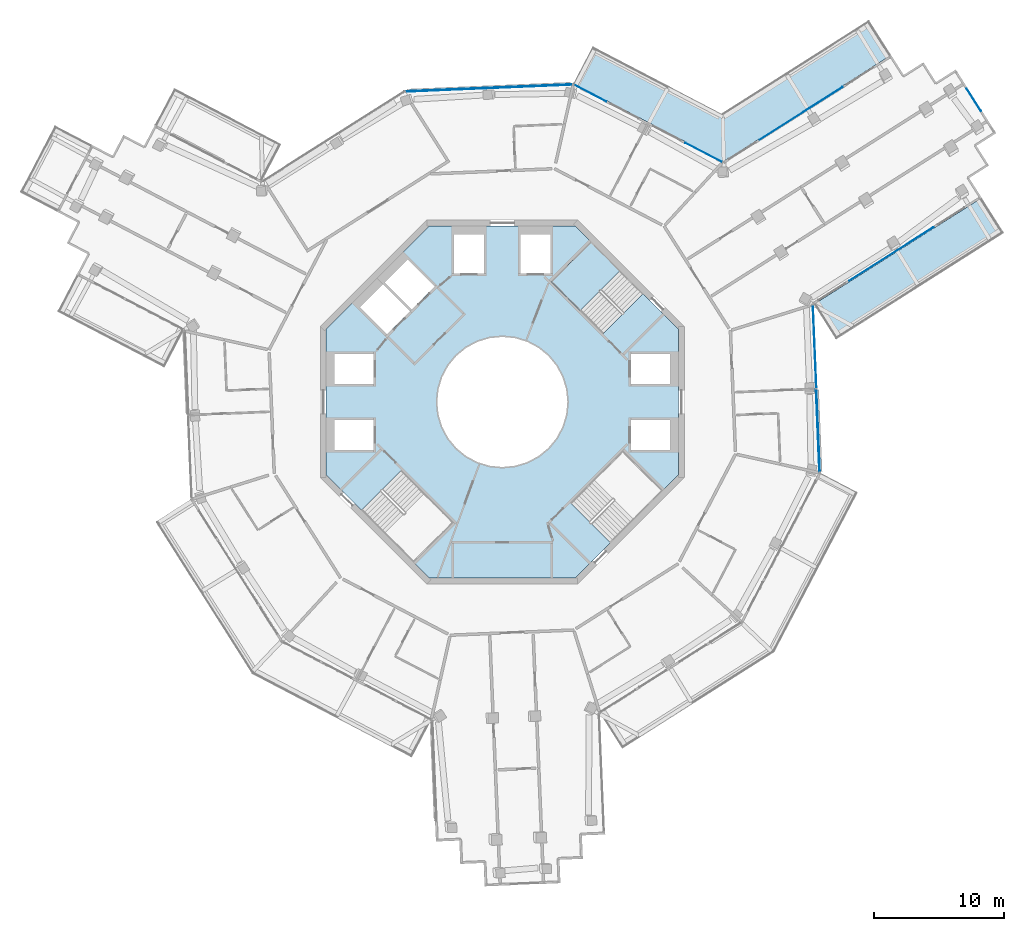
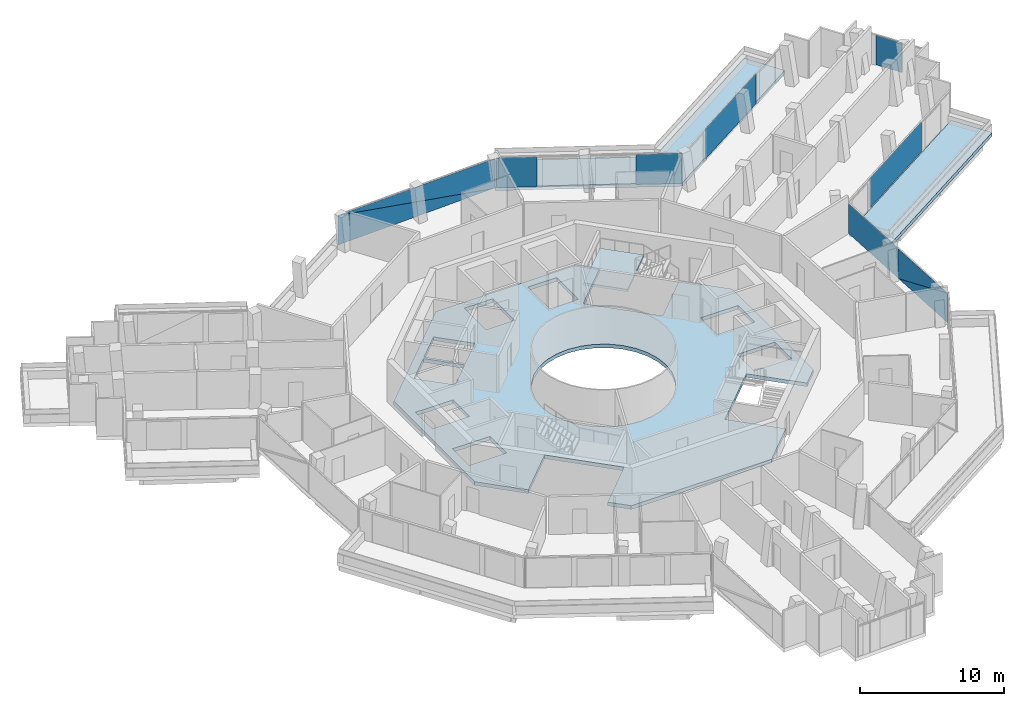
# One storey, part 13 of 23: 10 plates, 4 slabs, 7 elements without a shape of their own.
"""IFC4 building model written with IfcOpenShell, lengths in metres."""

from ifc_helpers import new_model, si_unit, direction, frame, origin, origin_2d, place, context, subcontext, project, spatial, polyline, rectangle, outline, extrude, material, layer, layer_set, type_object, element, aggregate, save


model = new_model("IFC4")

# Units and contexts
model_context = context("Model", 3, precision=1e-05, world=origin(), true_north=direction((0.0, 1.0)))
body_context = subcontext(model_context, "Body", "Model", "MODEL_VIEW")
ifc_project = project(units=[si_unit("LENGTHUNIT", "METRE"), si_unit("AREAUNIT", "SQUARE_METRE"), si_unit("VOLUMEUNIT", "CUBIC_METRE"), si_unit("PLANEANGLEUNIT", "RADIAN"), si_unit("MASSUNIT", "GRAM", prefix="KILO")], contexts=[model_context])

# Site, building, storey
site_placement = place(None, origin())
site = spatial("IfcSite", under=ifc_project, at=site_placement, CompositionType="ELEMENT")
building_placement = place(site_placement, origin())
building = spatial("IfcBuilding", under=site, at=building_placement, Name="Verdalira Terraces Hotel", CompositionType="ELEMENT")
storey_placement = place(building_placement, frame((0.0, 0.0, 288.0)))
storey = spatial("IfcBuildingStorey", under=building, at=storey_placement, Name="L71", CompositionType="ELEMENT", Elevation=288.0)

# Slabs
ifc_material_1 = material(Name="Precast concrete C40/50", Category="concrete")
ifc_layer_1 = layer(ifc_material_1, 0.31005859375)
ifc_layer_set_1 = layer_set([ifc_layer_1], Name="Balcony deck 310")
slab_type_1 = type_object("IfcSlabType", Name="Balcony deck 310", PredefinedType="FLOOR", material=ifc_layer_set_1)
slab_1_placement = place(storey_placement, frame((0.0, 0.0, -0.310059)))
element("IfcSlab", 1, at=slab_1_placement, inside=storey, type_object=slab_type_1, Name="Balcony deck", PredefinedType="FLOOR", context=body_context, shape_type="SweptSolid", body=[
    extrude(outline(polyline([(38.591309, 13.002441), (36.876709, 15.704102), (23.964844, 7.51001), (25.679443, 4.80835), (38.591309, 13.002441)])), origin(), (0.0, 0.0, 1.0), 0.310059),
])
slab_2_placement = place(storey_placement, frame((0.0, 0.0, -0.310059)))
element("IfcSlab", 2, at=slab_2_placement, inside=storey, type_object=slab_type_1, Name="Balcony deck", PredefinedType="FLOOR", context=body_context, shape_type="SweptSolid", body=[
    extrude(outline(polyline([(16.844482, 22.178223), (6.960938, 27.345215), (5.478516, 24.509277), (16.999023, 18.486328), (29.910889, 26.68042), (28.196289, 29.382324), (16.844482, 22.178223)])), origin(), (0.0, 0.0, 1.0), 0.310059),
])

# Curtain wall, plates
ifc_material_2 = material(Name="Clear glass", Category="glass")
ifc_layer_2 = layer(ifc_material_2, 0.14990234375)
ifc_layer_set_2 = layer_set([ifc_layer_2], Name="CW1 curtain wall")
curtain_wall_type_1 = type_object("IfcCurtainWallType", Name="CW1 curtain wall", PredefinedType="NOTDEFINED", material=ifc_layer_set_2)
curtain_wall_1_placement = place(storey_placement, origin())
curtain_wall_1 = element("IfcCurtainWall", 3, at=curtain_wall_1_placement, inside=storey, type_object=curtain_wall_type_1, Name="CW1 curtain wall L71 edge 27", PredefinedType="NOTDEFINED")
ifc_material_3 = material(Name="Clear glass", Category="glass")
ifc_layer_3 = layer(ifc_material_3, 0.028076171875)
ifc_layer_set_3 = layer_set([ifc_layer_3], Name="CW1 glass unit 28")
plate_type_1 = type_object("IfcPlateType", Name="CW1 glass unit 28", PredefinedType="CURTAIN_PANEL", material=ifc_layer_set_3)
plate_1_placement = place(storey_placement, frame((24.282715, -2.199951, 1.262451), z_axis=(0.99912283, 0.041875654, 0.0), x_axis=(-0.041875654, 0.99912283, 0.0)))
plate_1 = element("IfcPlate", 4, at=plate_1_placement, type_object=plate_type_1, Name="CW1 glass unit", PredefinedType="CURTAIN_PANEL", context=body_context, shape_type="SweptSolid", body=[
    extrude(outline(polyline([(-3.185059, -1.262451), (3.185059, -1.262451), (-3.185059, 1.262451), (-3.185059, -1.262451)])), origin(), (0.0, 0.0, 1.0), 0.028076),
])
plate_2_placement = place(storey_placement, frame((24.253662, -2.201172, 1.262451), z_axis=(0.99912283, 0.041875654, 0.0), x_axis=(-0.041875654, 0.99912283, 0.0)))
plate_2 = element("IfcPlate", 5, at=plate_2_placement, type_object=plate_type_1, Name="CW1 glass unit", PredefinedType="CURTAIN_PANEL", context=body_context, shape_type="SweptSolid", body=[
    extrude(outline(polyline([(3.185059, -1.262451), (3.185059, 1.262451), (-3.185059, 1.262451), (3.185059, -1.262451)])), origin(), (0.0, 0.0, 1.0), 0.028076),
])
plate_3_placement = place(storey_placement, frame((24.026611, 4.244873, 0.0), z_axis=(0.0, 0.0, 1.0), x_axis=(-0.041875654, 0.99912283, 0.0)))
plate_3 = element("IfcPlate", 6, at=plate_3_placement, type_object=plate_type_1, Name="CW1 glass unit", PredefinedType="CURTAIN_PANEL", context=body_context, shape_type="SweptSolid", body=[
    extrude(rectangle(XDim=6.409912, YDim=0.028076, at=origin_2d()), origin(), (0.0, 0.0, 1.0), 2.524902),
])
aggregate(curtain_wall_1, [plate_1, plate_2, plate_3])

curtain_wall_2_placement = place(storey_placement, origin())
curtain_wall_2 = element("IfcCurtainWall", 7, at=curtain_wall_2_placement, inside=storey, type_object=curtain_wall_type_1, Name="CW1 curtain wall L71 edge 39", PredefinedType="NOTDEFINED")
plate_4_placement = place(storey_placement, frame((15.497803, 19.186768, 0.0), z_axis=(0.0, 0.0, 1.0), x_axis=(-0.886203579, 0.463296035, 0.0)))
plate_4 = element("IfcPlate", 8, at=plate_4_placement, type_object=plate_type_1, Name="CW1 glass unit", PredefinedType="CURTAIN_PANEL", context=body_context, shape_type="SweptSolid", body=[
    extrude(rectangle(XDim=3.189941, YDim=0.028076, at=origin_2d()), origin(), (0.0, 0.0, 1.0), 2.524902),
])
plate_5_placement = place(storey_placement, frame((6.768066, 23.750488, 0.0), z_axis=(0.0, 0.0, 1.0), x_axis=(-0.886203579, 0.463296035, 0.0)))
plate_5 = element("IfcPlate", 9, at=plate_5_placement, type_object=plate_type_1, Name="CW1 glass unit", PredefinedType="CURTAIN_PANEL", context=body_context, shape_type="SweptSolid", body=[
    extrude(rectangle(XDim=2.788574, YDim=0.028076, at=origin_2d()), origin(), (0.0, 0.0, 1.0), 2.524902),
])
aggregate(curtain_wall_2, [plate_4, plate_5])

curtain_wall_3_placement = place(storey_placement, origin())
curtain_wall_3 = element("IfcCurtainWall", 10, at=curtain_wall_3_placement, inside=storey, type_object=curtain_wall_type_1, Name="CW1 curtain wall L71 edge 40", PredefinedType="NOTDEFINED")
plate_6_placement = place(storey_placement, frame((-1.032227, 24.147461, 1.262451), z_axis=(-0.041875654, 0.99912283, 0.0), x_axis=(-0.99912283, -0.041875654, 0.0)))
plate_6 = element("IfcPlate", 11, at=plate_6_placement, type_object=plate_type_1, Name="CW1 glass unit", PredefinedType="CURTAIN_PANEL", context=body_context, shape_type="SweptSolid", body=[
    extrude(outline(polyline([(-6.419922, -1.262451), (6.419922, -1.262451), (6.419922, 1.262451), (-6.419922, -1.262451)])), origin(), (0.0, 0.0, 1.0), 0.028076),
])
plate_7_placement = place(storey_placement, frame((-1.031006, 24.118408, 1.262451), z_axis=(-0.041875654, 0.99912283, 0.0), x_axis=(-0.99912283, -0.041875654, 0.0)))
plate_7 = element("IfcPlate", 12, at=plate_7_placement, type_object=plate_type_1, Name="CW1 glass unit", PredefinedType="CURTAIN_PANEL", context=body_context, shape_type="SweptSolid", body=[
    extrude(outline(polyline([(-6.419922, -1.262451), (6.419922, 1.262451), (-6.419922, 1.262451), (-6.419922, -1.262451)])), origin(), (0.0, 0.0, 1.0), 0.028076),
])
aggregate(curtain_wall_3, [plate_6, plate_7])

# Curtain wall, plate
ifc_material_4 = material(Name="Clear glass", Category="glass")
ifc_layer_4 = layer(ifc_material_4, 0.14990234375)
ifc_layer_set_4 = layer_set([ifc_layer_4], Name="CW2 curtain wall")
curtain_wall_type_2 = type_object("IfcCurtainWallType", Name="CW2 curtain wall", PredefinedType="NOTDEFINED", material=ifc_layer_set_4)
curtain_wall_4_placement = place(storey_placement, origin())
curtain_wall_4 = element("IfcCurtainWall", 13, at=curtain_wall_4_placement, inside=storey, type_object=curtain_wall_type_2, Name="CW2 curtain wall L71 edge 28", PredefinedType="NOTDEFINED")
ifc_material_5 = material(Name="Clear glass", Category="glass")
ifc_layer_5 = layer(ifc_material_5, 0.031982421875)
ifc_layer_set_5 = layer_set([ifc_layer_5], Name="CW2 glass unit 32")
plate_type_2 = type_object("IfcPlateType", Name="CW2 glass unit 32", PredefinedType="CURTAIN_PANEL", material=ifc_layer_set_5)
plate_8_placement = place(storey_placement, frame((29.928955, 11.383789, 0.0), z_axis=(0.0, 0.0, 1.0), x_axis=(0.844327926, 0.535826795, 0.0)))
plate_8 = element("IfcPlate", 14, at=plate_8_placement, type_object=plate_type_2, Name="CW2 glass unit", PredefinedType="CURTAIN_PANEL", context=body_context, shape_type="SweptSolid", body=[
    extrude(rectangle(XDim=7.682373, YDim=0.031982, at=origin_2d()), origin(), (0.0, 0.0, 1.0), 2.524902),
])
aggregate(curtain_wall_4, [plate_8])

curtain_wall_5_placement = place(storey_placement, origin())
curtain_wall_5 = element("IfcCurtainWall", 15, at=curtain_wall_5_placement, inside=storey, type_object=curtain_wall_type_2, Name="CW2 curtain wall L71 edge 38", PredefinedType="NOTDEFINED")
plate_9_placement = place(storey_placement, frame((22.984375, 22.196045, 0.0), z_axis=(0.0, 0.0, 1.0), x_axis=(-0.844327926, -0.535826795, 0.0)))
plate_9 = element("IfcPlate", 16, at=plate_9_placement, type_object=plate_type_2, Name="CW2 glass unit", PredefinedType="CURTAIN_PANEL", context=body_context, shape_type="SweptSolid", body=[
    extrude(rectangle(XDim=7.54248, YDim=0.031982, at=origin_2d()), origin(), (0.0, 0.0, 1.0), 2.524902),
])
aggregate(curtain_wall_5, [plate_9])

ifc_material_6 = material(Name="Clear glass", Category="glass")
ifc_layer_6 = layer(ifc_material_6, 0.14990234375)
ifc_layer_set_6 = layer_set([ifc_layer_6], Name="CW3 curtain wall")
curtain_wall_type_3 = type_object("IfcCurtainWallType", Name="CW3 curtain wall", PredefinedType="NOTDEFINED", material=ifc_layer_set_6)
curtain_wall_6_placement = place(storey_placement, origin())
curtain_wall_6 = element("IfcCurtainWall", 17, at=curtain_wall_6_placement, inside=storey, type_object=curtain_wall_type_3, Name="CW3 curtain wall L71 edge 33", PredefinedType="NOTDEFINED")
ifc_material_7 = material(Name="Clear glass", Category="glass")
ifc_layer_7 = layer(ifc_material_7, 0.035888671875)
ifc_layer_set_7 = layer_set([ifc_layer_7], Name="CW3 glass unit 36")
plate_type_3 = type_object("IfcPlateType", Name="CW3 glass unit 36", PredefinedType="CURTAIN_PANEL", material=ifc_layer_set_7)
plate_10_placement = place(storey_placement, frame((36.266357, 23.244629, 0.0), z_axis=(0.0, 0.0, 1.0), x_axis=(-0.535826795, 0.844327926, 0.0)))
plate_10 = element("IfcPlate", 18, at=plate_10_placement, type_object=plate_type_3, Name="CW3 glass unit", PredefinedType="CURTAIN_PANEL", context=body_context, shape_type="SweptSolid", body=[
    extrude(rectangle(XDim=2.032715, YDim=0.035889, at=origin_2d()), origin(), (0.0, 0.0, 1.0), 2.524902),
])
aggregate(curtain_wall_6, [plate_10])

# Slab
ifc_material_8 = material(Name="Concrete C40", Category="concrete")
ifc_layer_8 = layer(ifc_material_8, 0.31005859375)
ifc_layer_set_8 = layer_set([ifc_layer_8], Name="Core floor slab 310 mm")
slab_type_2 = type_object("IfcSlabType", Name="Core floor slab 310 mm", PredefinedType="FLOOR", material=ifc_layer_set_8)
slab_3_placement = place(storey_placement, frame((0.0, 0.0, -0.310059)))
element("IfcSlab", 19, at=slab_3_placement, inside=storey, type_object=slab_type_2, Name="L71 core floor", PredefinedType="FLOOR", context=body_context, shape_type="SweptSolid", body=[
    extrude(outline(polyline([(-6.809326, -12.353271), (-3.719482, -9.263184), (-7.746094, -5.236572), (-10.836182, -8.326416), (-13.550049, -5.612549), (-13.550049, 5.612549), (-5.612549, 13.550049), (5.612549, 13.550049), (6.809326, 12.353271), (3.719482, 9.263184), (7.746094, 5.236572), (10.836182, 8.326416), (13.550049, 5.612549), (13.550049, -5.612549), (12.353271, -6.809326), (9.263184, -3.719482), (5.236572, -7.746094), (8.326416, -10.836182), (5.612549, -13.550049), (-5.612549, -13.550049), (-6.809326, -12.353271)]), holes=[polyline([(9.899902, -1.399902), (9.899902, -3.699951), (12.899902, -3.699951), (12.899902, -1.399902), (9.899902, -1.399902)]), polyline([(9.899902, 3.699951), (9.899902, 1.399902), (12.899902, 1.399902), (12.899902, 3.699951), (9.899902, 3.699951)]), polyline([(3.699951, 12.899902), (1.399902, 12.899902), (1.399902, 9.899902), (3.699951, 9.899902), (3.699951, 12.899902)]), polyline([(-1.399902, 12.899902), (-3.699951, 12.899902), (-3.699951, 9.899902), (-1.399902, 9.899902), (-1.399902, 12.899902)]), polyline([(-9.899902, 1.399902), (-9.899902, 3.699951), (-12.899902, 3.699951), (-12.899902, 1.399902), (-9.899902, 1.399902)]), polyline([(-9.899902, -3.699951), (-9.899902, -1.399902), (-12.899902, -1.399902), (-12.899902, -3.699951), (-9.899902, -3.699951)]), polyline([(-9.051025, 9.192383), (-6.965088, 7.106445), (-5.197266, 8.874268), (-7.283203, 10.960205), (-9.051025, 9.192383)]), polyline([(-9.192383, 9.051025), (-10.960205, 7.283203), (-8.874268, 5.197266), (-7.106445, 6.965088), (-9.192383, 9.051025)]), polyline([(3.5354, 3.5354), (2.777832, 4.157227), (1.91333, 4.619385), (0.975586, 4.903809), (0.0, 5.0), (-0.975586, 4.903809), (-1.91333, 4.619385), (-2.777832, 4.157227), (-3.5354, 3.5354), (-4.157227, 2.777832), (-4.619385, 1.91333), (-4.903809, 0.975586), (-5.0, 0.0), (-4.903809, -0.975586), (-4.619385, -1.91333), (-4.157227, -2.777832), (-3.5354, -3.5354), (-2.777832, -4.157227), (-1.91333, -4.619385), (-0.975586, -4.903809), (0.0, -5.0), (0.975586, -4.903809), (1.91333, -4.619385), (2.777832, -4.157227), (3.5354, -3.5354), (4.157227, -2.777832), (4.619385, -1.91333), (4.903809, -0.975586), (5.0, 0.0), (4.903809, 0.975586), (4.619385, 1.91333), (4.157227, 2.777832), (3.5354, 3.5354)])]), origin(), (0.0, 0.0, 1.0), 0.310059),
])

# Stair, slab
ifc_material_9 = material(Name="Concrete C40", Category="concrete")
stair_type = type_object("IfcStairType", Name="Core stair 20 risers 2125 mm wide", PredefinedType="HALF_TURN_STAIR", material=ifc_material_9)
stair_placement = place(storey_placement, origin())
stair = element("IfcStair", 20, at=stair_placement, inside=storey, type_object=stair_type, Name="L71 Exit stair ST1", PredefinedType="HALF_TURN_STAIR")
ifc_material_10 = material(Name="Concrete C40", Category="concrete")
ifc_layer_9 = layer(ifc_material_10, 0.199951171875)
ifc_layer_set_9 = layer_set([ifc_layer_9], Name="Core stair landing 200 mm")
slab_type_3 = type_object("IfcSlabType", Name="Core stair landing 200 mm", PredefinedType="LANDING", material=ifc_layer_set_9)
slab_4_placement = place(storey_placement, frame((0.0, 0.0, 1.550049)))
slab_4 = element("IfcSlab", 21, at=slab_4_placement, type_object=slab_type_3, Name="ST1 landing 1", PredefinedType="LANDING", context=body_context, shape_type="SweptSolid", body=[
    extrude(outline(polyline([(9.054932, 10.107666), (6.823486, 12.339111), (3.747559, 9.263184), (5.979004, 7.031738), (9.054932, 10.107666)])), origin(), (0.0, 0.0, 1.0), 0.199951),
])
aggregate(stair, [slab_4])

save(model, "model.ifc")
